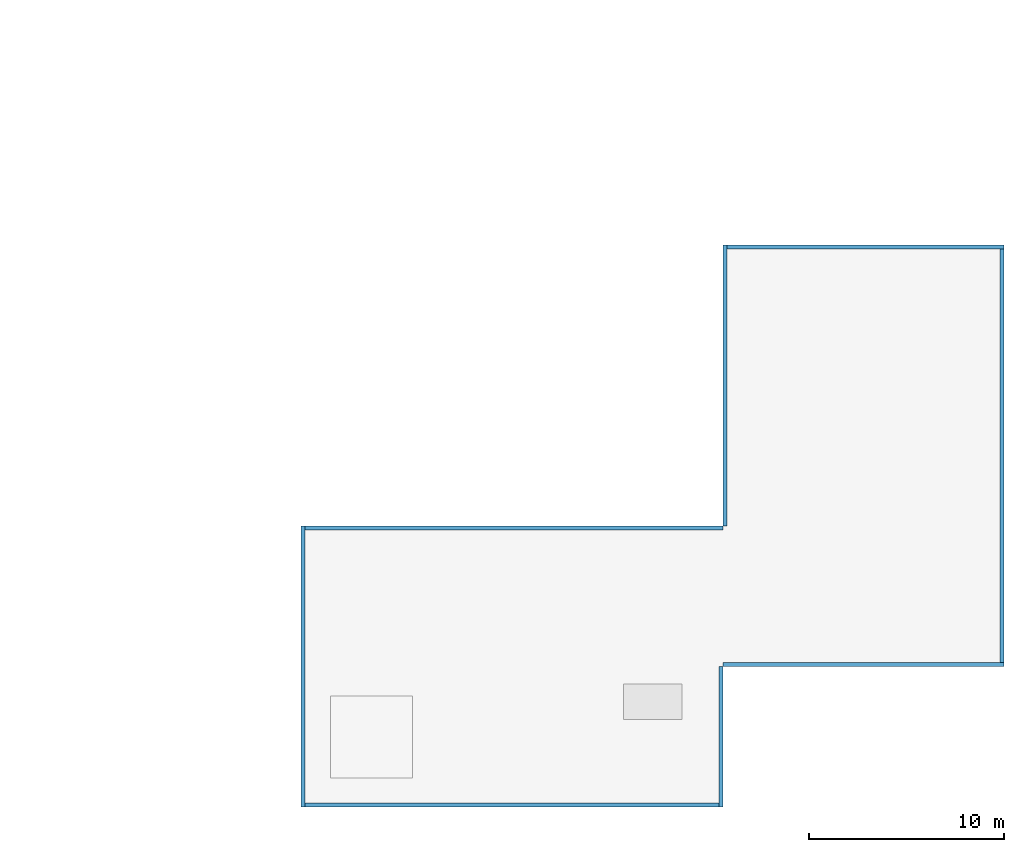
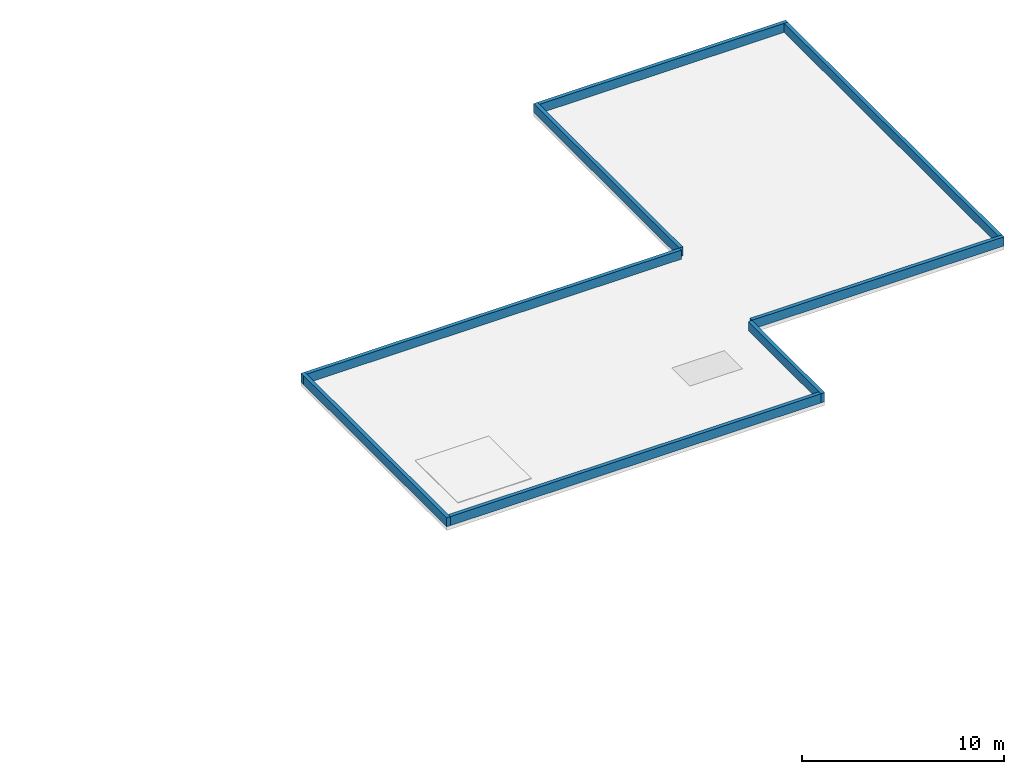
# One storey, part 10 of 12: 8 walls.
"""IFC4 building model written with IfcOpenShell, lengths in metres."""

from ifc_helpers import new_model, si_unit, direction, frame, frame_2d, origin, place, context, subcontext, project, spatial, rectangle, extrude, material, layer, layer_set, type_object, element, save


model = new_model("IFC4")

# Units and contexts
model_context = context("Model", 3, precision=1e-05, world=origin(), true_north=direction((0.0, 1.0)))
body_context = subcontext(model_context, "Body", "Model", "MODEL_VIEW")
ifc_project = project(units=[si_unit("LENGTHUNIT", "METRE"), si_unit("AREAUNIT", "SQUARE_METRE"), si_unit("VOLUMEUNIT", "CUBIC_METRE"), si_unit("PLANEANGLEUNIT", "RADIAN"), si_unit("MASSUNIT", "GRAM", prefix="KILO")], contexts=[model_context])

# Site, building, storey
site_placement = place(None, origin())
site = spatial("IfcSite", under=ifc_project, at=site_placement, CompositionType="ELEMENT")
building_placement = place(site_placement, origin())
building = spatial("IfcBuilding", under=site, at=building_placement, Name="Leyfeld Transit Interchange", CompositionType="ELEMENT")
storey_placement = place(building_placement, frame((0.0, 0.0, 21.60009765625)))
storey = spatial("IfcBuildingStorey", under=building, at=storey_placement, Name="L05", CompositionType="ELEMENT", Elevation=21.60009765625)

# Walls
ifc_material = material(Name="Leitha limestone ashlar - Insulated", Category="masonry")
ifc_layer = layer(ifc_material, 0.2099609375, Name="Leitha limestone ashlar - Insulated")
ifc_layer_set = layer_set([ifc_layer], Name="Leitha limestone ashlar - Insulated")
wall_type = type_object("IfcWallType", Name="WL-PAR-210", PredefinedType="PARAPET", material=ifc_layer_set)
wall_1_placement = place(storey_placement, frame((158.39990234375, 57.705078125, 0.0), z_axis=(0.0, 0.0, 1.0), x_axis=(-1.0, 0.0, 0.0)))
element("IfcWall", 1, at=wall_1_placement, inside=storey, type_object=wall_type, Name="Roof Parapet L05 011", PredefinedType="PARAPET", context=body_context, shape_type="SweptSolid", body=[
    extrude(rectangle(XDim=21.599853515625, YDim=0.2099609375, at=frame_2d((10.7998046875, 0.0))), origin(), (0.0, 0.0, 1.0), 0.5498046875),
])
wall_2_placement = place(storey_placement, frame((136.905029296875, 57.60009765625, 0.0), z_axis=(0.0, 0.0, 1.0), x_axis=(0.0, 1.0, 0.0)))
element("IfcWall", 2, at=wall_2_placement, inside=storey, type_object=wall_type, Name="Roof Parapet L05 012", PredefinedType="PARAPET", context=body_context, shape_type="SweptSolid", body=[
    extrude(rectangle(XDim=14.39990234375, YDim=0.2099609375, at=frame_2d((7.199951171875, 0.0))), origin(), (0.0, 0.0, 1.0), 0.5498046875),
])
wall_3_placement = place(storey_placement, frame((136.800048828125, 71.89501953125, 0.0), z_axis=(0.0, 0.0, 1.0), x_axis=(1.0, 0.0, 0.0)))
element("IfcWall", 3, at=wall_3_placement, inside=storey, type_object=wall_type, Name="Roof Parapet L05 013", PredefinedType="PARAPET", context=body_context, shape_type="SweptSolid", body=[
    extrude(rectangle(XDim=21.599853515625, YDim=0.2099609375, at=frame_2d((10.7998046875, 0.0))), origin(), (0.0, 0.0, 1.0), 0.5498046875),
])
wall_4_placement = place(storey_placement, frame((158.5048828125, 72.0, 0.0), z_axis=(0.0, 0.0, 1.0), x_axis=(0.0, 1.0, 0.0)))
element("IfcWall", 4, at=wall_4_placement, inside=storey, type_object=wall_type, Name="Roof Parapet L05 014", PredefinedType="PARAPET", context=body_context, shape_type="SweptSolid", body=[
    extrude(rectangle(XDim=14.39990234375, YDim=0.2099609375, at=frame_2d((7.199951171875, 0.0))), origin(), (0.0, 0.0, 1.0), 0.5498046875),
])
wall_5_placement = place(storey_placement, frame((158.39990234375, 86.294921875, 0.0), z_axis=(0.0, 0.0, 1.0), x_axis=(1.0, 0.0, 0.0)))
element("IfcWall", 5, at=wall_5_placement, inside=storey, type_object=wall_type, Name="Roof Parapet L05 015", PredefinedType="PARAPET", context=body_context, shape_type="SweptSolid", body=[
    extrude(rectangle(XDim=14.400146484375, YDim=0.2099609375, at=frame_2d((7.2001953125, 0.0))), origin(), (0.0, 0.0, 1.0), 0.5498046875),
])
wall_6_placement = place(storey_placement, frame((172.695068359375, 86.39990234375, 0.0), z_axis=(0.0, 0.0, 1.0), x_axis=(0.0, -1.0, 0.0)))
element("IfcWall", 6, at=wall_6_placement, inside=storey, type_object=wall_type, Name="Roof Parapet L05 016", PredefinedType="PARAPET", context=body_context, shape_type="SweptSolid", body=[
    extrude(rectangle(XDim=21.599853515625, YDim=0.2099609375, at=frame_2d((10.7998046875, 0.0))), origin(), (0.0, 0.0, 1.0), 0.5498046875),
])
wall_7_placement = place(storey_placement, frame((172.800048828125, 64.905029296875, 0.0), z_axis=(0.0, 0.0, 1.0), x_axis=(-1.0, 0.0, 0.0)))
element("IfcWall", 7, at=wall_7_placement, inside=storey, type_object=wall_type, Name="Roof Parapet L05 017", PredefinedType="PARAPET", context=body_context, shape_type="SweptSolid", body=[
    extrude(rectangle(XDim=14.400146484375, YDim=0.2099609375, at=frame_2d((7.2001953125, 0.0))), origin(), (0.0, 0.0, 1.0), 0.5498046875),
])
wall_8_placement = place(storey_placement, frame((158.294921875, 64.800048828125, 0.0), z_axis=(0.0, 0.0, 1.0), x_axis=(0.0, -1.0, 0.0)))
element("IfcWall", 8, at=wall_8_placement, inside=storey, type_object=wall_type, Name="Roof Parapet L05 018", PredefinedType="PARAPET", context=body_context, shape_type="SweptSolid", body=[
    extrude(rectangle(XDim=7.199951171875, YDim=0.2099609375, at=frame_2d((3.60009765625, 0.0))), origin(), (0.0, 0.0, 1.0), 0.5498046875),
])

save(model, "model.ifc")
